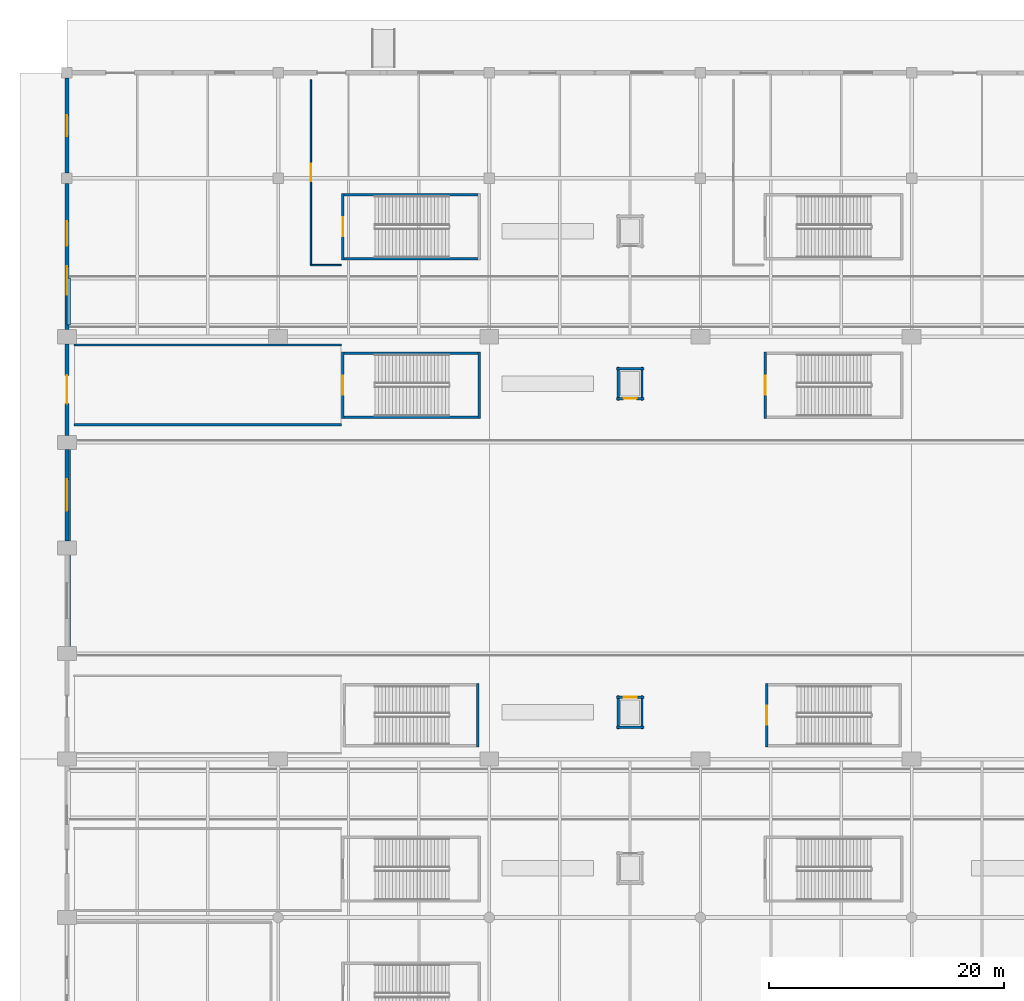
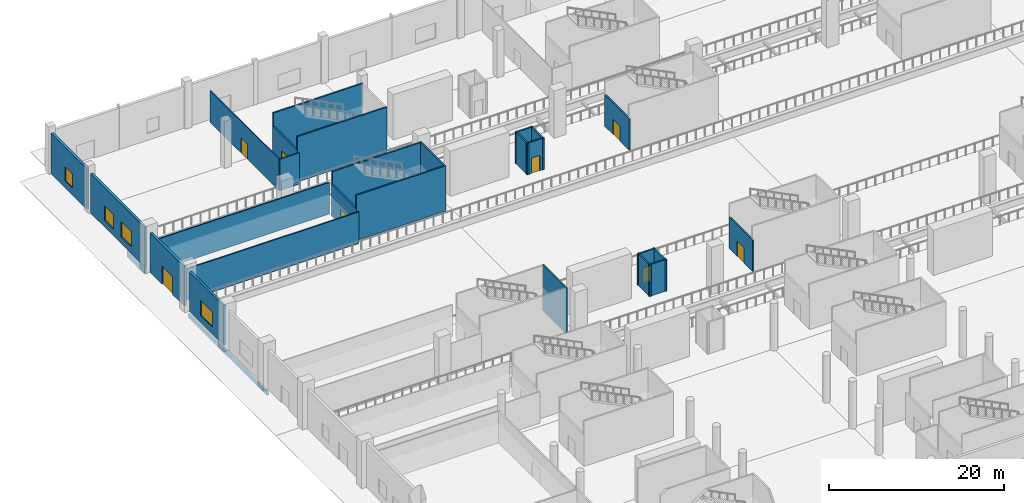
# One storey, part 17 of 65: 28 walls, 8 doors, 4 windows, 12 openings.
"""IFC4 building model written with IfcOpenShell, lengths in metres."""

from ifc_helpers import new_model, si_unit, direction, frame, frame_2d, origin, place, context, subcontext, project, spatial, rectangle, extrude, material, layer, layer_set, type_object, element, fill, save


model = new_model("IFC4")

# Units and contexts
model_context = context("Model", 3, precision=1e-05, world=origin(), true_north=direction((0.0, 1.0)))
body_context = subcontext(model_context, "Body", "Model", "MODEL_VIEW")
ifc_project = project(units=[si_unit("LENGTHUNIT", "METRE"), si_unit("AREAUNIT", "SQUARE_METRE"), si_unit("VOLUMEUNIT", "CUBIC_METRE"), si_unit("PLANEANGLEUNIT", "RADIAN"), si_unit("MASSUNIT", "GRAM", prefix="KILO")], contexts=[model_context])

# Site, building, storey
site_placement = place(None, origin())
site = spatial("IfcSite", under=ifc_project, at=site_placement, CompositionType="ELEMENT")
building_placement = place(site_placement, origin())
building = spatial("IfcBuilding", under=site, at=building_placement, Name="Chuanluo Vaults Station", CompositionType="ELEMENT")
storey_placement = place(building_placement, origin())
storey = spatial("IfcBuildingStorey", under=building, at=storey_placement, Name="L00", CompositionType="ELEMENT", Elevation=0.0)

# Walls
ifc_material_1 = material(Name="Concrete C40", Category="concrete")
ifc_layer_1 = layer(ifc_material_1, 0.300048828125)
ifc_layer_set_1 = layer_set([ifc_layer_1], Name="Concrete C40")
wall_type_1 = type_object("IfcWallType", Name="WL-EXT-300", PredefinedType="SOLIDWALL", material=ifc_layer_set_1)
wall_1_placement = place(storey_placement, frame((0.14990234375, 76.5, -1.25), z_axis=(0.0, 0.0, 1.0), x_axis=(0.0, 1.0, 0.0)))
element("IfcWall", 1, at=wall_1_placement, inside=storey, type_object=wall_type_1, Name="Central tracks west end closure wall", PredefinedType="SOLIDWALL", context=body_context, shape_type="SweptSolid", body=[
    extrude(rectangle(XDim=18.0, YDim=0.300048828125, at=frame_2d((9.0, 0.0))), origin(), (0.0, 0.0, 1.0), 0.52001953125),
])
wall_2_placement = place(storey_placement, frame((0.14990234375, 104.5, -1.25), z_axis=(0.0, 0.0, 1.0), x_axis=(0.0, 1.0, 0.0)))
element("IfcWall", 2, at=wall_2_placement, inside=storey, type_object=wall_type_1, Name="Track 6 west end closure wall", PredefinedType="SOLIDWALL", context=body_context, shape_type="SweptSolid", body=[
    extrude(rectangle(XDim=4.0, YDim=0.300048828125, at=frame_2d((2.0, 0.0))), origin(), (0.0, 0.0, 1.0), 1.22998046875),
])

# Wall, opening, window
ifc_material_2 = material(Name="Concrete C40", Category="concrete")
ifc_layer_2 = layer(ifc_material_2, 0.320068359375)
ifc_layer_set_2 = layer_set([ifc_layer_2], Name="Concrete C40")
wall_type_2 = type_object("IfcWallType", Name="WL-EXT-320", PredefinedType="SOLIDWALL", material=ifc_layer_set_2)
wall_3_placement = place(storey_placement, frame((0.0, 86.10009765625, 0.0), z_axis=(0.0, 0.0, 1.0), x_axis=(0.0, 1.0, 0.0)))
wall_3 = element("IfcWall", 3, at=wall_3_placement, inside=storey, type_object=wall_type_2, Name="West train-shed base wall 4", PredefinedType="SOLIDWALL", context=body_context, shape_type="SweptSolid", body=[
    extrude(rectangle(XDim=7.7998046875, YDim=0.320068359375, at=frame_2d((3.89990234375, 0.0))), origin(), (0.0, 0.0, 1.0), 5.4951171875),
])
opening_1_placement = place(wall_3_placement, frame((2.550048828125, 0.0, 0.949951171875)))
opening_1 = element("IfcOpeningElement", 4, at=opening_1_placement, cuts=wall_3, Name="Opening W-17", PredefinedType="OPENING", context=body_context, shape_type="SweptSolid", body=[
    extrude(rectangle(XDim=2.699951171875, YDim=2.10009765625, at=frame_2d((1.35009765625, 1.050048828125))), frame((0.0, 0.17016, 0.0), z_axis=(0.0, -1.0, 0.0), x_axis=(1.0, 0.0, 0.0)), (0.0, 0.0, 1.0), 0.34007),
])
ifc_material_3 = material(Name="Double-silver Low-E laminated glass", Category="glass")
window_type_1 = type_object("IfcWindowType", Name="WN-RET-2700x2100", PartitioningType="SINGLE_PANEL", PredefinedType="WINDOW", material=ifc_material_3)
window_1_placement = place(opening_1_placement, origin())
window_1 = element("IfcWindow", 5, at=window_1_placement, inside=storey, type_object=window_type_1, Name="W-020 Ground streetwall window", OverallHeight=2.10009765625, OverallWidth=2.699951171875, PartitioningType="SINGLE_PANEL", PredefinedType="WINDOW", context=body_context, shape_type="SweptSolid", body=[
    extrude(rectangle(XDim=2.699951171875, YDim=2.10009765625, at=frame_2d((1.35009765625, 1.050048828125))), frame((0.0, 0.030029296875, 0.0), z_axis=(0.0, -1.0, 0.0), x_axis=(1.0, 0.0, 0.0)), (0.0, 0.0, 1.0), 0.06005859375),
])
fill(opening_1, window_1)

# Wall, opening, door
wall_4_placement = place(storey_placement, frame((0.0, 95.10009765625, 0.0), z_axis=(0.0, 0.0, 1.0), x_axis=(0.0, 1.0, 0.0)))
wall_4 = element("IfcWall", 6, at=wall_4_placement, inside=storey, type_object=wall_type_2, Name="West train-shed base wall 5", PredefinedType="SOLIDWALL", context=body_context, shape_type="SweptSolid", body=[
    extrude(rectangle(XDim=7.7998046875, YDim=0.320068359375, at=frame_2d((3.89990234375, 0.0))), origin(), (0.0, 0.0, 1.0), 5.4951171875),
])
opening_2_placement = place(wall_4_placement, frame((2.699951171875, 0.0, 0.0)))
opening_2 = element("IfcOpeningElement", 7, at=opening_2_placement, cuts=wall_4, Name="Opening D-E04", PredefinedType="OPENING", context=body_context, shape_type="SweptSolid", body=[
    extrude(rectangle(XDim=2.39990234375, YDim=2.5, at=frame_2d((1.199951171875, 1.25))), frame((0.0, 0.17016, 0.0), z_axis=(0.0, -1.0, 0.0), x_axis=(1.0, 0.0, 0.0)), (0.0, 0.0, 1.0), 0.34007),
])
ifc_material_4 = material(Name="Anodised aluminium 6063-T6", Category="aluminium")
door_type_1 = type_object("IfcDoorType", Name="DR-EXT-2400x2500", OperationType="NOTDEFINED", PredefinedType="DOOR", material=ifc_material_4)
door_1_placement = place(opening_2_placement, origin())
door_1 = element("IfcDoor", 8, at=door_1_placement, inside=storey, type_object=door_type_1, Name="D-022 West train-shed base wall 5 exit door", OperationType="SINGLE_SWING_RIGHT", OverallHeight=2.5, OverallWidth=2.39990234375, PredefinedType="DOOR", context=body_context, shape_type="SweptSolid", body=[
    extrude(rectangle(XDim=2.39990234375, YDim=2.5, at=frame_2d((1.199951171875, 1.25))), frame((0.0, 0.02490234375, 0.0), z_axis=(0.0, -1.0, 0.0), x_axis=(1.0, 0.0, 0.0)), (0.0, 0.0, 1.0), 0.050048828125),
])
fill(opening_2, door_1)

# Wall, openings, windows
wall_5_placement = place(storey_placement, frame((0.0, 104.10009765625, 0.0), z_axis=(0.0, 0.0, 1.0), x_axis=(0.0, 1.0, 0.0)))
wall_5 = element("IfcWall", 9, at=wall_5_placement, inside=storey, type_object=wall_type_2, Name="West train-shed base wall 6", PredefinedType="SOLIDWALL", context=body_context, shape_type="SweptSolid", body=[
    extrude(rectangle(XDim=12.449951171875, YDim=0.320068359375, at=frame_2d((6.22509765625, 0.0))), origin(), (0.0, 0.0, 1.0), 5.4951171875),
])
opening_3_placement = place(wall_5_placement, frame((3.0, 0.0, 0.949951171875)))
opening_3 = element("IfcOpeningElement", 10, at=opening_3_placement, cuts=wall_5, Name="Opening W-18", PredefinedType="OPENING", context=body_context, shape_type="SweptSolid", body=[
    extrude(rectangle(XDim=2.39990234375, YDim=2.10009765625, at=frame_2d((1.199951171875, 1.050048828125))), frame((0.0, 0.17016, 0.0), z_axis=(0.0, -1.0, 0.0), x_axis=(1.0, 0.0, 0.0)), (0.0, 0.0, 1.0), 0.34007),
])
opening_4_placement = place(wall_5_placement, frame((7.14990234375, 0.0, 0.949951171875)))
opening_4 = element("IfcOpeningElement", 11, at=opening_4_placement, cuts=wall_5, Name="Opening W-19", PredefinedType="OPENING", context=body_context, shape_type="SweptSolid", body=[
    extrude(rectangle(XDim=2.10009765625, YDim=2.0, at=frame_2d((1.050048828125, 1.0))), frame((0.0, 0.17016, 0.0), z_axis=(0.0, -1.0, 0.0), x_axis=(1.0, 0.0, 0.0)), (0.0, 0.0, 1.0), 0.34007),
])
ifc_material_5 = material(Name="Double-silver Low-E laminated glass", Category="glass")
window_type_2 = type_object("IfcWindowType", Name="WN-RET-2100x2000", PartitioningType="SINGLE_PANEL", PredefinedType="WINDOW", material=ifc_material_5)
window_2_placement = place(opening_4_placement, origin())
window_2 = element("IfcWindow", 12, at=window_2_placement, inside=storey, type_object=window_type_2, Name="W-022 Ground streetwall window", OverallHeight=2.0, OverallWidth=2.10009765625, PartitioningType="SINGLE_PANEL", PredefinedType="WINDOW", context=body_context, shape_type="SweptSolid", body=[
    extrude(rectangle(XDim=2.10009765625, YDim=2.0, at=frame_2d((1.050048828125, 1.0))), frame((0.0, 0.030029296875, 0.0), z_axis=(0.0, -1.0, 0.0), x_axis=(1.0, 0.0, 0.0)), (0.0, 0.0, 1.0), 0.06005859375),
])
fill(opening_4, window_2)
ifc_material_6 = material(Name="Double-silver Low-E laminated glass", Category="glass")
window_type_3 = type_object("IfcWindowType", Name="WN-RET-2400x2100", PartitioningType="SINGLE_PANEL", PredefinedType="WINDOW", material=ifc_material_6)
window_3_placement = place(opening_3_placement, origin())
window_3 = element("IfcWindow", 13, at=window_3_placement, inside=storey, type_object=window_type_3, Name="W-021 Ground streetwall window", OverallHeight=2.10009765625, OverallWidth=2.39990234375, PartitioningType="SINGLE_PANEL", PredefinedType="WINDOW", context=body_context, shape_type="SweptSolid", body=[
    extrude(rectangle(XDim=2.39990234375, YDim=2.10009765625, at=frame_2d((1.199951171875, 1.050048828125))), frame((0.0, 0.030029296875, 0.0), z_axis=(0.0, -1.0, 0.0), x_axis=(1.0, 0.0, 0.0)), (0.0, 0.0, 1.0), 0.06005859375),
])
fill(opening_3, window_3)

# Wall, opening, window
wall_6_placement = place(storey_placement, frame((0.0, 117.449951171875, 0.0), z_axis=(0.0, 0.0, 1.0), x_axis=(0.0, 1.0, 0.0)))
wall_6 = element("IfcWall", 14, at=wall_6_placement, inside=storey, type_object=wall_type_2, Name="West streetwall north", PredefinedType="SOLIDWALL", context=body_context, shape_type="SweptSolid", body=[
    extrude(rectangle(XDim=8.10009765625, YDim=0.320068359375, at=frame_2d((4.050048828125, 0.0))), origin(), (0.0, 0.0, 1.0), 5.669921875),
])
opening_5_placement = place(wall_6_placement, frame((3.14990234375, 0.0, 0.949951171875)))
opening_5 = element("IfcOpeningElement", 15, at=opening_5_placement, cuts=wall_6, Name="Opening W-20", PredefinedType="OPENING", context=body_context, shape_type="SweptSolid", body=[
    extrude(rectangle(XDim=1.800048828125, YDim=2.0, at=frame_2d((0.89990234375, 1.0))), frame((0.0, 0.17016, 0.0), z_axis=(0.0, -1.0, 0.0), x_axis=(1.0, 0.0, 0.0)), (0.0, 0.0, 1.0), 0.34007),
])
ifc_material_7 = material(Name="Double-silver Low-E laminated glass", Category="glass")
window_type_4 = type_object("IfcWindowType", Name="WN-RET-1800x2000", PartitioningType="SINGLE_PANEL", PredefinedType="WINDOW", material=ifc_material_7)
window_4_placement = place(opening_5_placement, origin())
window_4 = element("IfcWindow", 16, at=window_4_placement, inside=storey, type_object=window_type_4, Name="W-023 Ground streetwall window", OverallHeight=2.0, OverallWidth=1.800048828125, PartitioningType="SINGLE_PANEL", PredefinedType="WINDOW", context=body_context, shape_type="SweptSolid", body=[
    extrude(rectangle(XDim=1.800048828125, YDim=2.0, at=frame_2d((0.89990234375, 1.0))), frame((0.0, 0.030029296875, 0.0), z_axis=(0.0, -1.0, 0.0), x_axis=(1.0, 0.0, 0.0)), (0.0, 0.0, 1.0), 0.06005859375),
])
fill(opening_5, window_4)

# Wall
ifc_material_8 = material(Name="Masonry blockwork M10", Category="masonry")
ifc_layer_3 = layer(ifc_material_8, 0.1298828125)
ifc_layer_set_3 = layer_set([ifc_layer_3], Name="Masonry blockwork M10")
wall_type_3 = type_object("IfcWallType", Name="WL-PRT-130", PredefinedType="PARTITIONING", material=ifc_layer_set_3)
wall_7_placement = place(storey_placement, frame((23.39990234375, 109.60009765625, 0.0), z_axis=(0.0, 0.0, 1.0), x_axis=(-1.0, 0.0, 0.0)))
element("IfcWall", 17, at=wall_7_placement, inside=storey, type_object=wall_type_3, Name="L00-EX16 Stair ST-16 Protected North Exit Passage S partition", PredefinedType="PARTITIONING", context=body_context, shape_type="SweptSolid", body=[
    extrude(rectangle(XDim=2.599853515625, YDim=0.1298828125, at=frame_2d((1.2998046875, 0.0))), origin(), (0.0, 0.0, 1.0), 4.39990234375),
])

# Wall, opening, door
wall_8_placement = place(storey_placement, frame((20.800048828125, 109.60009765625, 0.0), z_axis=(0.0, 0.0, 1.0), x_axis=(0.0, 1.0, 0.0)))
wall_8 = element("IfcWall", 18, at=wall_8_placement, inside=storey, type_object=wall_type_3, Name="L00-EX16 Stair ST-16 Protected North Exit Passage W partition", PredefinedType="PARTITIONING", context=body_context, shape_type="SweptSolid", body=[
    extrude(rectangle(XDim=15.7998046875, YDim=0.1298828125, at=frame_2d((7.89990234375, 0.0))), origin(), (0.0, 0.0, 1.0), 4.39990234375),
])
opening_6_placement = place(wall_8_placement, frame((7.14990234375, 0.0, 0.0)))
opening_6 = element("IfcOpeningElement", 19, at=opening_6_placement, cuts=wall_8, Name="Opening FD-03", PredefinedType="OPENING", context=body_context, shape_type="SweptSolid", body=[
    extrude(rectangle(XDim=1.5, YDim=2.14990234375, at=frame_2d((0.75, 1.074951171875))), frame((0.0, 0.07494, 0.0), z_axis=(0.0, -1.0, 0.0), x_axis=(1.0, 0.0, 0.0)), (0.0, 0.0, 1.0), 0.14988),
])
ifc_material_9 = material(Name="Fire-rated steel leaf", Category="steel")
door_type_2 = type_object("IfcDoorType", Name="DR-FIR-1500x2150", OperationType="NOTDEFINED", PredefinedType="DOOR", material=ifc_material_9)
door_2_placement = place(opening_6_placement, origin())
door_2 = element("IfcDoor", 20, at=door_2_placement, inside=storey, type_object=door_type_2, Name="D-157 Stair ST-16 Protected North Exit Passage door", OperationType="SINGLE_SWING_RIGHT", OverallHeight=2.14990234375, OverallWidth=1.5, PredefinedType="DOOR", context=body_context, shape_type="SweptSolid", body=[
    extrude(rectangle(XDim=1.5, YDim=2.14990234375, at=frame_2d((0.75, 1.074951171875))), frame((0.0, 0.02490234375, 0.0), z_axis=(0.0, -1.0, 0.0), x_axis=(1.0, 0.0, 0.0)), (0.0, 0.0, 1.0), 0.050048828125),
])
fill(opening_6, door_2)

# Walls
ifc_material_10 = material(Name="Autoclaved aerated concrete blockwork MU10", Category="masonry")
ifc_layer_4 = layer(ifc_material_10, 0.175048828125)
ifc_layer_set_4 = layer_set([ifc_layer_4], Name="Autoclaved aerated concrete blockwork MU10")
wall_type_4 = type_object("IfcWallType", Name="WL-PRT-175", PredefinedType="PARTITIONING", material=ifc_layer_set_4)
for number, where, z_axis, x_axis, name in (
    (21, (23.39990234375, 96.0, 0.0), (0.0, 0.0, 1.0), (-1.0, 0.0, 0.0), "L00-EX13 Stair ST-13 Protected West Exit Passage S partition"),
    (22, (0.60009765625, 102.800048828125, 0.0), (0.0, 0.0, 1.0), (1.0, 0.0, 0.0), "L00-EX13 Stair ST-13 Protected West Exit Passage N partition"),
):
    element("IfcWall", number, at=place(storey_placement, frame(where, z_axis=z_axis, x_axis=x_axis)), inside=storey, type_object=wall_type_4, Name=name, PredefinedType="PARTITIONING", context=body_context, shape_type="SweptSolid", body=[
        extrude(rectangle(XDim=22.7998046875, YDim=0.175048828125, at=frame_2d((11.39990234375, 0.0))), origin(), (0.0, 0.0, 1.0), 4.39990234375),
    ])
ifc_material_11 = material(Name="Concrete C40", Category="concrete")
ifc_layer_5 = layer(ifc_material_11, 0.199951171875)
ifc_layer_set_5 = layer_set([ifc_layer_5], Name="Concrete C40")
wall_type_5 = type_object("IfcWallType", Name="WL-SHF-200", PredefinedType="SOLIDWALL", material=ifc_layer_set_5)
wall_9_placement = place(storey_placement, frame((35.02490234375, 68.550048828125, 0.0), z_axis=(0.0, 0.0, 1.0), x_axis=(0.0, 1.0, 0.0)))
element("IfcWall", 23, at=wall_9_placement, inside=storey, type_object=wall_type_5, Name="Stair ST-10 far shaft wall L00", PredefinedType="SOLIDWALL", context=body_context, shape_type="SweptSolid", body=[
    extrude(rectangle(XDim=5.39990234375, YDim=0.199951171875, at=frame_2d((2.699951171875, 0.0))), origin(), (0.0, 0.0, 1.0), 6.320068359375),
])

# Wall, opening, door
wall_10_placement = place(storey_placement, frame((59.64990234375, 73.949951171875, 0.0), z_axis=(0.0, 0.0, 1.0), x_axis=(0.0, -1.0, 0.0)))
wall_10 = element("IfcWall", 24, at=wall_10_placement, inside=storey, type_object=wall_type_5, Name="Stair ST-11 vestibule wall L00", PredefinedType="SOLIDWALL", context=body_context, shape_type="SweptSolid", body=[
    extrude(rectangle(XDim=5.39990234375, YDim=0.199951171875, at=frame_2d((2.699951171875, 0.0))), origin(), (0.0, 0.0, 1.0), 4.39990234375),
])
opening_7_placement = place(wall_10_placement, frame((1.89990234375, 0.0, 0.0)))
opening_7 = element("IfcOpeningElement", 25, at=opening_7_placement, cuts=wall_10, Name="Opening FD-02", PredefinedType="OPENING", context=body_context, shape_type="SweptSolid", body=[
    extrude(rectangle(XDim=1.60009765625, YDim=2.14990234375, at=frame_2d((0.800048828125, 1.074951171875))), frame((0.0, 0.1101, 0.0), z_axis=(0.0, -1.0, 0.0), x_axis=(1.0, 0.0, 0.0)), (0.0, 0.0, 1.0), 0.21995),
])
ifc_material_12 = material(Name="Fire-rated steel leaf", Category="steel")
door_type_3 = type_object("IfcDoorType", Name="DR-FIR-1600x2150", OperationType="NOTDEFINED", PredefinedType="DOOR", material=ifc_material_12)
door_3_placement = place(opening_7_placement, origin())
door_3 = element("IfcDoor", 26, at=door_3_placement, inside=storey, type_object=door_type_3, Name="D-101 Stair ST-11 fire door L00", OperationType="SINGLE_SWING_RIGHT", OverallHeight=2.14990234375, OverallWidth=1.60009765625, PredefinedType="DOOR", context=body_context, shape_type="SweptSolid", body=[
    extrude(rectangle(XDim=1.60009765625, YDim=2.14990234375, at=frame_2d((0.800048828125, 1.074951171875))), frame((0.0, 0.02490234375, 0.0), z_axis=(0.0, -1.0, 0.0), x_axis=(1.0, 0.0, 0.0)), (0.0, 0.0, 1.0), 0.050048828125),
])
fill(opening_7, door_3)

# Walls
for number, where, z_axis, x_axis, name in (
    (27, (23.425048828125, 96.64990234375, 0.0), (0.0, 0.0, 1.0), (1.0, 0.0, 0.0), "Stair ST-13 south shaft wall L00"),
    (28, (35.25, 102.10009765625, 0.0), (0.0, 0.0, 1.0), (-1.0, 0.0, 0.0), "Stair ST-13 north shaft wall L00"),
):
    element("IfcWall", number, at=place(storey_placement, frame(where, z_axis=z_axis, x_axis=x_axis)), inside=storey, type_object=wall_type_5, Name=name, PredefinedType="SOLIDWALL", context=body_context, shape_type="SweptSolid", body=[
        extrude(rectangle(XDim=11.824951171875, YDim=0.199951171875, at=frame_2d((5.91259765625, 0.0))), origin(), (0.0, 0.0, 1.0), 6.320068359375),
    ])
wall_11_placement = place(storey_placement, frame((35.14990234375, 96.550048828125, 0.0), z_axis=(0.0, 0.0, 1.0), x_axis=(0.0, 1.0, 0.0)))
element("IfcWall", 29, at=wall_11_placement, inside=storey, type_object=wall_type_5, Name="Stair ST-13 far shaft wall L00", PredefinedType="SOLIDWALL", context=body_context, shape_type="SweptSolid", body=[
    extrude(rectangle(XDim=5.64990234375, YDim=0.199951171875, at=frame_2d((2.824951171875, 0.0))), origin(), (0.0, 0.0, 1.0), 6.320068359375),
])

# Wall, opening, door
wall_12_placement = place(storey_placement, frame((23.52490234375, 102.199951171875, 0.0), z_axis=(0.0, 0.0, 1.0), x_axis=(0.0, -1.0, 0.0)))
wall_12 = element("IfcWall", 30, at=wall_12_placement, inside=storey, type_object=wall_type_5, Name="Stair ST-13 vestibule wall L00", PredefinedType="SOLIDWALL", context=body_context, shape_type="SweptSolid", body=[
    extrude(rectangle(XDim=5.64990234375, YDim=0.199951171875, at=frame_2d((2.824951171875, 0.0))), origin(), (0.0, 0.0, 1.0), 4.39990234375),
])
opening_8_placement = place(wall_12_placement, frame((2.02490234375, 0.0, 0.0)))
opening_8 = element("IfcOpeningElement", 31, at=opening_8_placement, cuts=wall_12, Name="Opening FD-02", PredefinedType="OPENING", context=body_context, shape_type="SweptSolid", body=[
    extrude(rectangle(XDim=1.60009765625, YDim=2.14990234375, at=frame_2d((0.800048828125, 1.074951171875))), frame((0.0, 0.1101, 0.0), z_axis=(0.0, -1.0, 0.0), x_axis=(1.0, 0.0, 0.0)), (0.0, 0.0, 1.0), 0.21995),
])
door_4_placement = place(opening_8_placement, origin())
door_4 = element("IfcDoor", 32, at=door_4_placement, inside=storey, type_object=door_type_3, Name="D-105 Stair ST-13 fire door L00", OperationType="SINGLE_SWING_RIGHT", OverallHeight=2.14990234375, OverallWidth=1.60009765625, PredefinedType="DOOR", context=body_context, shape_type="SweptSolid", body=[
    extrude(rectangle(XDim=1.60009765625, YDim=2.14990234375, at=frame_2d((0.800048828125, 1.074951171875))), frame((0.0, 0.02490234375, 0.0), z_axis=(0.0, -1.0, 0.0), x_axis=(1.0, 0.0, 0.0)), (0.0, 0.0, 1.0), 0.050048828125),
])
fill(opening_8, door_4)

wall_13_placement = place(storey_placement, frame((59.52490234375, 102.199951171875, 0.0), z_axis=(0.0, 0.0, 1.0), x_axis=(0.0, -1.0, 0.0)))
wall_13 = element("IfcWall", 33, at=wall_13_placement, inside=storey, type_object=wall_type_5, Name="Stair ST-14 vestibule wall L00", PredefinedType="SOLIDWALL", context=body_context, shape_type="SweptSolid", body=[
    extrude(rectangle(XDim=5.64990234375, YDim=0.199951171875, at=frame_2d((2.824951171875, 0.0))), origin(), (0.0, 0.0, 1.0), 4.39990234375),
])
opening_9_placement = place(wall_13_placement, frame((2.02490234375, 0.0, 0.0)))
opening_9 = element("IfcOpeningElement", 34, at=opening_9_placement, cuts=wall_13, Name="Opening FD-02", PredefinedType="OPENING", context=body_context, shape_type="SweptSolid", body=[
    extrude(rectangle(XDim=1.60009765625, YDim=2.14990234375, at=frame_2d((0.800048828125, 1.074951171875))), frame((0.0, 0.1101, 0.0), z_axis=(0.0, -1.0, 0.0), x_axis=(1.0, 0.0, 0.0)), (0.0, 0.0, 1.0), 0.21995),
])
door_5_placement = place(opening_9_placement, origin())
door_5 = element("IfcDoor", 35, at=door_5_placement, inside=storey, type_object=door_type_3, Name="D-107 Stair ST-14 fire door L00", OperationType="SINGLE_SWING_RIGHT", OverallHeight=2.14990234375, OverallWidth=1.60009765625, PredefinedType="DOOR", context=body_context, shape_type="SweptSolid", body=[
    extrude(rectangle(XDim=1.60009765625, YDim=2.14990234375, at=frame_2d((0.800048828125, 1.074951171875))), frame((0.0, 0.02490234375, 0.0), z_axis=(0.0, -1.0, 0.0), x_axis=(1.0, 0.0, 0.0)), (0.0, 0.0, 1.0), 0.050048828125),
])
fill(opening_9, door_5)

# Walls
for number, where, z_axis, x_axis, name in (
    (36, (23.425048828125, 110.14990234375, 0.0), (0.0, 0.0, 1.0), (1.0, 0.0, 0.0), "Stair ST-16 south shaft wall L00"),
    (37, (35.25, 115.60009765625, 0.0), (0.0, 0.0, 1.0), (-1.0, 0.0, 0.0), "Stair ST-16 north shaft wall L00"),
):
    element("IfcWall", number, at=place(storey_placement, frame(where, z_axis=z_axis, x_axis=x_axis)), inside=storey, type_object=wall_type_5, Name=name, PredefinedType="SOLIDWALL", context=body_context, shape_type="SweptSolid", body=[
        extrude(rectangle(XDim=11.824951171875, YDim=0.199951171875, at=frame_2d((5.91259765625, 0.0))), origin(), (0.0, 0.0, 1.0), 6.320068359375),
    ])

# Wall, opening, door
wall_14_placement = place(storey_placement, frame((23.52490234375, 115.699951171875, 0.0), z_axis=(0.0, 0.0, 1.0), x_axis=(0.0, -1.0, 0.0)))
wall_14 = element("IfcWall", 38, at=wall_14_placement, inside=storey, type_object=wall_type_5, Name="Stair ST-16 vestibule wall L00", PredefinedType="SOLIDWALL", context=body_context, shape_type="SweptSolid", body=[
    extrude(rectangle(XDim=5.64990234375, YDim=0.199951171875, at=frame_2d((2.824951171875, 0.0))), origin(), (0.0, 0.0, 1.0), 4.39990234375),
])
opening_10_placement = place(wall_14_placement, frame((2.02490234375, 0.0, 0.0)))
opening_10 = element("IfcOpeningElement", 39, at=opening_10_placement, cuts=wall_14, Name="Opening FD-02", PredefinedType="OPENING", context=body_context, shape_type="SweptSolid", body=[
    extrude(rectangle(XDim=1.60009765625, YDim=2.14990234375, at=frame_2d((0.800048828125, 1.074951171875))), frame((0.0, 0.1101, 0.0), z_axis=(0.0, -1.0, 0.0), x_axis=(1.0, 0.0, 0.0)), (0.0, 0.0, 1.0), 0.21995),
])
door_6_placement = place(opening_10_placement, origin())
door_6 = element("IfcDoor", 40, at=door_6_placement, inside=storey, type_object=door_type_3, Name="D-111 Stair ST-16 fire door L00", OperationType="SINGLE_SWING_RIGHT", OverallHeight=2.14990234375, OverallWidth=1.60009765625, PredefinedType="DOOR", context=body_context, shape_type="SweptSolid", body=[
    extrude(rectangle(XDim=1.60009765625, YDim=2.14990234375, at=frame_2d((0.800048828125, 1.074951171875))), frame((0.0, 0.02490234375, 0.0), z_axis=(0.0, -1.0, 0.0), x_axis=(1.0, 0.0, 0.0)), (0.0, 0.0, 1.0), 0.050048828125),
])
fill(opening_10, door_6)

# Wall
wall_15_placement = place(storey_placement, frame((46.830078125, 70.22998046875, 0.0), z_axis=(0.0, 0.0, 1.0), x_axis=(1.0, 0.0, 0.0)))
element("IfcWall", 41, at=wall_15_placement, inside=storey, type_object=wall_type_5, Name="Lift PL-02 shaft wall L00 -Y", PredefinedType="SOLIDWALL", context=body_context, shape_type="SweptSolid", body=[
    extrude(rectangle(XDim=2.33984375, YDim=0.199951171875, at=frame_2d((1.169921875, 0.0))), origin(), (0.0, 0.0, 1.0), 4.39990234375),
])

# Wall, opening, door
wall_16_placement = place(storey_placement, frame((49.169921875, 72.77001953125, 0.0), z_axis=(0.0, 0.0, 1.0), x_axis=(-1.0, 0.0, 0.0)))
wall_16 = element("IfcWall", 42, at=wall_16_placement, inside=storey, type_object=wall_type_5, Name="Lift PL-02 shaft wall L00 +Y", PredefinedType="SOLIDWALL", context=body_context, shape_type="SweptSolid", body=[
    extrude(rectangle(XDim=2.33984375, YDim=0.199951171875, at=frame_2d((1.169921875, 0.0))), origin(), (0.0, 0.0, 1.0), 4.39990234375),
])
opening_11_placement = place(wall_16_placement, frame((0.6201171875, 0.0, 0.0)))
opening_11 = element("IfcOpeningElement", 43, at=opening_11_placement, cuts=wall_16, Name="Opening LD-01", PredefinedType="OPENING", context=body_context, shape_type="SweptSolid", body=[
    extrude(rectangle(XDim=1.10009765625, YDim=2.14990234375, at=frame_2d((0.550048828125, 1.074951171875))), frame((0.0, 0.1101, 0.0), z_axis=(0.0, -1.0, 0.0), x_axis=(1.0, 0.0, 0.0)), (0.0, 0.0, 1.0), 0.21995),
])
ifc_material_13 = material(Name="Brushed stainless steel 304", Category="steel")
door_type_4 = type_object("IfcDoorType", Name="DR-LFT-1100x2150", OperationType="SLIDING_TO_LEFT", PredefinedType="DOOR", material=ifc_material_13)
door_7_placement = place(opening_11_placement, origin())
door_7 = element("IfcDoor", 44, at=door_7_placement, inside=storey, type_object=door_type_4, Name="LD-PL-02-01 Lift PL-02 sliding landing door L00", OperationType="SLIDING_TO_LEFT", OverallHeight=2.14990234375, OverallWidth=1.10009765625, PredefinedType="DOOR", context=body_context, shape_type="SweptSolid", body=[
    extrude(rectangle(XDim=1.10009765625, YDim=2.14990234375, at=frame_2d((0.550048828125, 1.074951171875))), frame((0.0, 0.02490234375, 0.0), z_axis=(0.0, -1.0, 0.0), x_axis=(1.0, 0.0, 0.0)), (0.0, 0.0, 1.0), 0.050048828125),
])
fill(opening_11, door_7)

# Walls
for number, where, z_axis, x_axis, name in (
    (45, (46.97998046875, 72.919921875, 0.0), (0.0, 0.0, 1.0), (0.0, -1.0, 0.0), "Lift PL-02 shaft wall L00 -X"),
    (46, (49.02001953125, 70.080078125, 0.0), (0.0, 0.0, 1.0), (0.0, 1.0, 0.0), "Lift PL-02 shaft wall L00 +X"),
):
    element("IfcWall", number, at=place(storey_placement, frame(where, z_axis=z_axis, x_axis=x_axis)), inside=storey, type_object=wall_type_5, Name=name, PredefinedType="SOLIDWALL", context=body_context, shape_type="SweptSolid", body=[
        extrude(rectangle(XDim=2.83984375, YDim=0.199951171875, at=frame_2d((1.419921875, 0.0))), origin(), (0.0, 0.0, 1.0), 4.39990234375),
    ])

# Wall, opening, door
wall_17_placement = place(storey_placement, frame((46.830078125, 98.22998046875, 0.0), z_axis=(0.0, 0.0, 1.0), x_axis=(1.0, 0.0, 0.0)))
wall_17 = element("IfcWall", 47, at=wall_17_placement, inside=storey, type_object=wall_type_5, Name="Lift PL-03 shaft wall L00 -Y", PredefinedType="SOLIDWALL", context=body_context, shape_type="SweptSolid", body=[
    extrude(rectangle(XDim=2.33984375, YDim=0.199951171875, at=frame_2d((1.169921875, 0.0))), origin(), (0.0, 0.0, 1.0), 4.39990234375),
])
opening_12_placement = place(wall_17_placement, frame((0.6201171875, 0.0, 0.0)))
opening_12 = element("IfcOpeningElement", 48, at=opening_12_placement, cuts=wall_17, Name="Opening LD-01", PredefinedType="OPENING", context=body_context, shape_type="SweptSolid", body=[
    extrude(rectangle(XDim=1.10009765625, YDim=2.14990234375, at=frame_2d((0.550048828125, 1.074951171875))), frame((0.0, 0.1101, 0.0), z_axis=(0.0, -1.0, 0.0), x_axis=(1.0, 0.0, 0.0)), (0.0, 0.0, 1.0), 0.21995),
])
door_8_placement = place(opening_12_placement, origin())
door_8 = element("IfcDoor", 49, at=door_8_placement, inside=storey, type_object=door_type_4, Name="LD-PL-03-01 Lift PL-03 sliding landing door L00", OperationType="SLIDING_TO_LEFT", OverallHeight=2.14990234375, OverallWidth=1.10009765625, PredefinedType="DOOR", context=body_context, shape_type="SweptSolid", body=[
    extrude(rectangle(XDim=1.10009765625, YDim=2.14990234375, at=frame_2d((0.550048828125, 1.074951171875))), frame((0.0, 0.02490234375, 0.0), z_axis=(0.0, -1.0, 0.0), x_axis=(1.0, 0.0, 0.0)), (0.0, 0.0, 1.0), 0.050048828125),
])
fill(opening_12, door_8)

# Walls
wall_18_placement = place(storey_placement, frame((49.169921875, 100.77001953125, 0.0), z_axis=(0.0, 0.0, 1.0), x_axis=(-1.0, 0.0, 0.0)))
element("IfcWall", 50, at=wall_18_placement, inside=storey, type_object=wall_type_5, Name="Lift PL-03 shaft wall L00 +Y", PredefinedType="SOLIDWALL", context=body_context, shape_type="SweptSolid", body=[
    extrude(rectangle(XDim=2.33984375, YDim=0.199951171875, at=frame_2d((1.169921875, 0.0))), origin(), (0.0, 0.0, 1.0), 4.39990234375),
])
for number, where, z_axis, x_axis, name in (
    (51, (46.97998046875, 100.919921875, 0.0), (0.0, 0.0, 1.0), (0.0, -1.0, 0.0), "Lift PL-03 shaft wall L00 -X"),
    (52, (49.02001953125, 98.080078125, 0.0), (0.0, 0.0, 1.0), (0.0, 1.0, 0.0), "Lift PL-03 shaft wall L00 +X"),
):
    element("IfcWall", number, at=place(storey_placement, frame(where, z_axis=z_axis, x_axis=x_axis)), inside=storey, type_object=wall_type_5, Name=name, PredefinedType="SOLIDWALL", context=body_context, shape_type="SweptSolid", body=[
        extrude(rectangle(XDim=2.83984375, YDim=0.199951171875, at=frame_2d((1.419921875, 0.0))), origin(), (0.0, 0.0, 1.0), 4.39990234375),
    ])

save(model, "model.ifc")
